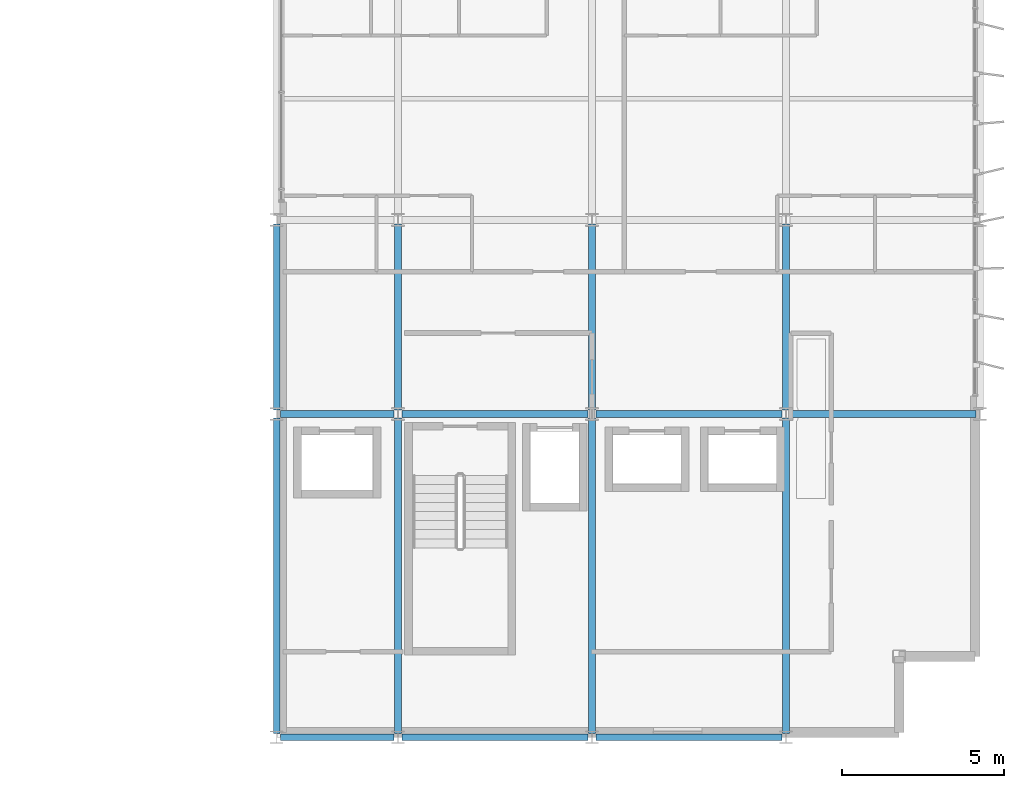
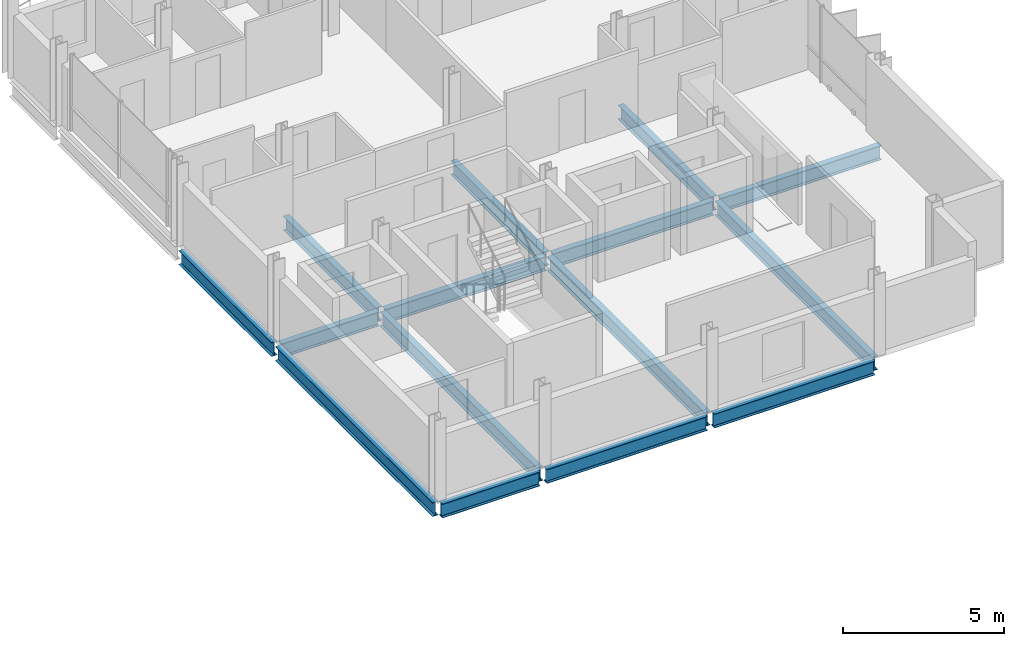
# One storey, part 9 of 28: 15 beams.
"""IFC4 building model written with IfcOpenShell, lengths in metres."""

from ifc_helpers import new_model, si_unit, direction, frame, origin, origin_2d, place, context, subcontext, project, spatial, i_section, extrude, material, material_profile, profile_set, type_object, element, save


model = new_model("IFC4")

# Units and contexts
model_context = context("Model", 3, precision=1e-05, world=origin(), true_north=direction((0.0, 1.0)))
body_context = subcontext(model_context, "Body", "Model", "MODEL_VIEW")
ifc_project = project(units=[si_unit("LENGTHUNIT", "METRE"), si_unit("AREAUNIT", "SQUARE_METRE"), si_unit("VOLUMEUNIT", "CUBIC_METRE"), si_unit("PLANEANGLEUNIT", "RADIAN"), si_unit("MASSUNIT", "GRAM", prefix="KILO")], contexts=[model_context])

# Site, building, storey
site_placement = place(None, origin())
site = spatial("IfcSite", under=ifc_project, at=site_placement, CompositionType="ELEMENT")
building_placement = place(site_placement, origin())
building = spatial("IfcBuilding", under=site, at=building_placement, Name="Brevholm Reach", CompositionType="ELEMENT")
storey_placement = place(building_placement, frame((0.0, 0.0, 192.5)))
storey = spatial("IfcBuildingStorey", under=building, at=storey_placement, Name="L58", CompositionType="ELEMENT", Elevation=192.5)

# Beams
ifc_material_1 = material(Name="Structural Steel S355J2", Category="steel")
ifc_material_profile_1 = material_profile(ifc_material_1, i_section(OverallWidth=0.209228515625, OverallDepth=0.533203125, WebThickness=0.010009765625, FlangeThickness=0.015625, FilletRadius=0.0126953125, at=origin_2d()), Name="UKB 533x210x92")
ifc_profile_set_1 = profile_set([ifc_material_profile_1], Name="Structural Steel S355J2")
beam_type_1 = type_object("IfcBeamType", Name="BM-SP533", PredefinedType="SPANDREL", material=ifc_profile_set_1)
beam_1_placement = place(storey_placement, frame((38.3701171875, 0.0, -0.4765625), z_axis=(1.0, 0.0, 0.0), x_axis=(0.0, 1.0, 0.0)))
element("IfcBeam", 1, at=beam_1_placement, inside=storey, type_object=beam_type_1, Name="L58 SP-02 Framing Beam", PredefinedType="SPANDREL", context=body_context, shape_type="SweptSolid", body=[
    extrude(i_section(OverallWidth=0.209228515625, OverallDepth=0.533203125, WebThickness=0.010009765625, FlangeThickness=0.015625, FilletRadius=0.0126953125, at=origin_2d()), origin(), (0.0, 0.0, 1.0), 3.509765625),
])
for number, where, z_axis, x_axis, name in (
    (2, (42.1201171875, 0.0, -0.4765625), (1.0, 0.0, 0.0), (0.0, 1.0, 0.0), "L58 SP-02 Framing Beam"),
    (3, (48.1201171875, 0.0, -0.4765625), (1.0, 0.0, 0.0), (0.0, 1.0, 0.0), "L58 SP-02 Framing Beam"),
):
    element("IfcBeam", number, at=place(storey_placement, frame(where, z_axis=z_axis, x_axis=x_axis)), inside=storey, type_object=beam_type_1, Name=name, PredefinedType="SPANDREL", context=body_context, shape_type="SweptSolid", body=[
        extrude(i_section(OverallWidth=0.209228515625, OverallDepth=0.533203125, WebThickness=0.010009765625, FlangeThickness=0.015625, FilletRadius=0.0126953125, at=origin_2d()), origin(), (0.0, 0.0, 1.0), 5.759765625),
    ])
beam_2_placement = place(storey_placement, frame((38.25, 0.1201171875, -0.4765625), z_axis=(0.0, 1.0, 0.0), x_axis=(-1.0, 0.0, 0.0)))
element("IfcBeam", 4, at=beam_2_placement, inside=storey, type_object=beam_type_1, Name="L58 SP-02 Framing Beam", PredefinedType="SPANDREL", context=body_context, shape_type="SweptSolid", body=[
    extrude(i_section(OverallWidth=0.209228515625, OverallDepth=0.533203125, WebThickness=0.010009765625, FlangeThickness=0.015625, FilletRadius=0.0126953125, at=origin_2d()), origin(), (0.0, 0.0, 1.0), 9.759765625),
])
beam_3_placement = place(storey_placement, frame((38.25, 10.1201171875, -0.4765625), z_axis=(0.0, 1.0, 0.0), x_axis=(-1.0, 0.0, 0.0)))
element("IfcBeam", 5, at=beam_3_placement, inside=storey, type_object=beam_type_1, Name="L58 SP-02 Framing Beam", PredefinedType="SPANDREL", context=body_context, shape_type="SweptSolid", body=[
    extrude(i_section(OverallWidth=0.209228515625, OverallDepth=0.533203125, WebThickness=0.010009765625, FlangeThickness=0.015625, FilletRadius=0.0126953125, at=origin_2d()), origin(), (0.0, 0.0, 1.0), 5.759765625),
])
ifc_material_2 = material(Name="Structural Steel S355J2", Category="steel")
ifc_material_profile_2 = material_profile(ifc_material_2, i_section(OverallWidth=0.210693359375, OverallDepth=0.53955078125, WebThickness=0.01171875, FlangeThickness=0.018798828125, FilletRadius=0.0126953125, at=origin_2d()), Name="UKB 533x210x109")
ifc_profile_set_2 = profile_set([ifc_material_profile_2], Name="Structural Steel S355J2")
beam_type_2 = type_object("IfcBeamType", Name="BM-SP539", PredefinedType="SPANDREL", material=ifc_profile_set_2)
beam_4_placement = place(storey_placement, frame((38.3701171875, 10.0, -0.479736328125), z_axis=(1.0, 0.0, 0.0), x_axis=(0.0, 1.0, 0.0)))
element("IfcBeam", 6, at=beam_4_placement, inside=storey, type_object=beam_type_2, Name="L58 SP-01B Framing Beam", PredefinedType="SPANDREL", context=body_context, shape_type="SweptSolid", body=[
    extrude(i_section(OverallWidth=0.210693359375, OverallDepth=0.53955078125, WebThickness=0.01171875, FlangeThickness=0.018798828125, FilletRadius=0.0126953125, at=origin_2d()), origin(), (0.0, 0.0, 1.0), 3.509765625),
])
for number, where, z_axis, x_axis, name in (
    (7, (42.1201171875, 10.0, -0.479736328125), (1.0, 0.0, 0.0), (0.0, 1.0, 0.0), "L58 SP-01B Framing Beam"),
    (8, (48.1201171875, 10.0, -0.479736328125), (1.0, 0.0, 0.0), (0.0, 1.0, 0.0), "L58 SP-01B Framing Beam"),
    (9, (54.1201171875, 10.0, -0.479736328125), (1.0, 0.0, 0.0), (0.0, 1.0, 0.0), "L58 SP-01B Framing Beam"),
):
    element("IfcBeam", number, at=place(storey_placement, frame(where, z_axis=z_axis, x_axis=x_axis)), inside=storey, type_object=beam_type_2, Name=name, PredefinedType="SPANDREL", context=body_context, shape_type="SweptSolid", body=[
        extrude(i_section(OverallWidth=0.210693359375, OverallDepth=0.53955078125, WebThickness=0.01171875, FlangeThickness=0.018798828125, FilletRadius=0.0126953125, at=origin_2d()), origin(), (0.0, 0.0, 1.0), 5.759765625),
    ])
beam_5_placement = place(storey_placement, frame((42.0, 0.1201171875, -0.479736328125), z_axis=(0.0, 1.0, 0.0), x_axis=(-1.0, 0.0, 0.0)))
element("IfcBeam", 10, at=beam_5_placement, inside=storey, type_object=beam_type_2, Name="L58 SP-01B Framing Beam", PredefinedType="SPANDREL", context=body_context, shape_type="SweptSolid", body=[
    extrude(i_section(OverallWidth=0.210693359375, OverallDepth=0.53955078125, WebThickness=0.01171875, FlangeThickness=0.018798828125, FilletRadius=0.0126953125, at=origin_2d()), origin(), (0.0, 0.0, 1.0), 9.759765625),
])
beam_6_placement = place(storey_placement, frame((42.0, 10.1201171875, -0.479736328125), z_axis=(0.0, 1.0, 0.0), x_axis=(-1.0, 0.0, 0.0)))
element("IfcBeam", 11, at=beam_6_placement, inside=storey, type_object=beam_type_2, Name="L58 SP-01B Framing Beam", PredefinedType="SPANDREL", context=body_context, shape_type="SweptSolid", body=[
    extrude(i_section(OverallWidth=0.210693359375, OverallDepth=0.53955078125, WebThickness=0.01171875, FlangeThickness=0.018798828125, FilletRadius=0.0126953125, at=origin_2d()), origin(), (0.0, 0.0, 1.0), 5.759765625),
])
beam_7_placement = place(storey_placement, frame((48.0, 0.1201171875, -0.479736328125), z_axis=(0.0, 1.0, 0.0), x_axis=(-1.0, 0.0, 0.0)))
element("IfcBeam", 12, at=beam_7_placement, inside=storey, type_object=beam_type_2, Name="L58 SP-01B Framing Beam", PredefinedType="SPANDREL", context=body_context, shape_type="SweptSolid", body=[
    extrude(i_section(OverallWidth=0.210693359375, OverallDepth=0.53955078125, WebThickness=0.01171875, FlangeThickness=0.018798828125, FilletRadius=0.0126953125, at=origin_2d()), origin(), (0.0, 0.0, 1.0), 9.759765625),
])
beam_8_placement = place(storey_placement, frame((48.0, 10.1201171875, -0.479736328125), z_axis=(0.0, 1.0, 0.0), x_axis=(-1.0, 0.0, 0.0)))
element("IfcBeam", 13, at=beam_8_placement, inside=storey, type_object=beam_type_2, Name="L58 SP-01B Framing Beam", PredefinedType="SPANDREL", context=body_context, shape_type="SweptSolid", body=[
    extrude(i_section(OverallWidth=0.210693359375, OverallDepth=0.53955078125, WebThickness=0.01171875, FlangeThickness=0.018798828125, FilletRadius=0.0126953125, at=origin_2d()), origin(), (0.0, 0.0, 1.0), 5.759765625),
])
beam_9_placement = place(storey_placement, frame((54.0, 0.1201171875, -0.479736328125), z_axis=(0.0, 1.0, 0.0), x_axis=(-1.0, 0.0, 0.0)))
element("IfcBeam", 14, at=beam_9_placement, inside=storey, type_object=beam_type_2, Name="L58 SP-01B Framing Beam", PredefinedType="SPANDREL", context=body_context, shape_type="SweptSolid", body=[
    extrude(i_section(OverallWidth=0.210693359375, OverallDepth=0.53955078125, WebThickness=0.01171875, FlangeThickness=0.018798828125, FilletRadius=0.0126953125, at=origin_2d()), origin(), (0.0, 0.0, 1.0), 9.759765625),
])
beam_10_placement = place(storey_placement, frame((54.0, 10.1201171875, -0.479736328125), z_axis=(0.0, 1.0, 0.0), x_axis=(-1.0, 0.0, 0.0)))
element("IfcBeam", 15, at=beam_10_placement, inside=storey, type_object=beam_type_2, Name="L58 SP-01B Framing Beam", PredefinedType="SPANDREL", context=body_context, shape_type="SweptSolid", body=[
    extrude(i_section(OverallWidth=0.210693359375, OverallDepth=0.53955078125, WebThickness=0.01171875, FlangeThickness=0.018798828125, FilletRadius=0.0126953125, at=origin_2d()), origin(), (0.0, 0.0, 1.0), 5.759765625),
])

save(model, "model.ifc")
